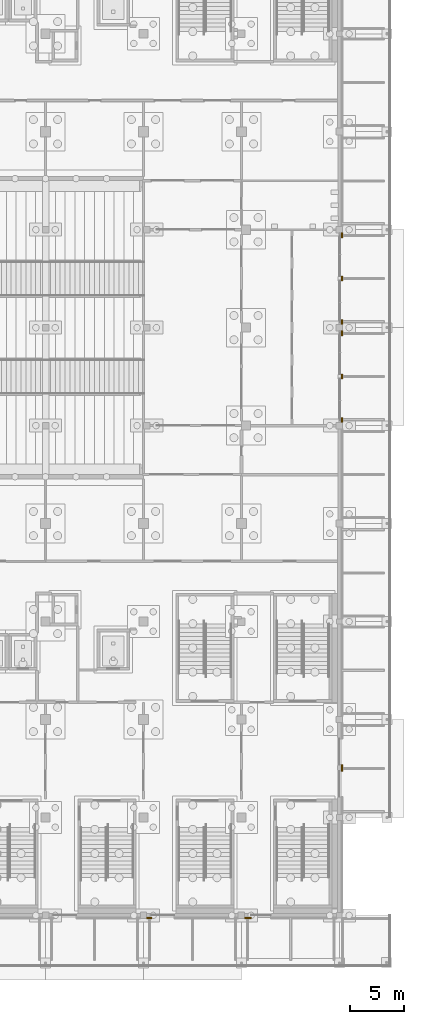
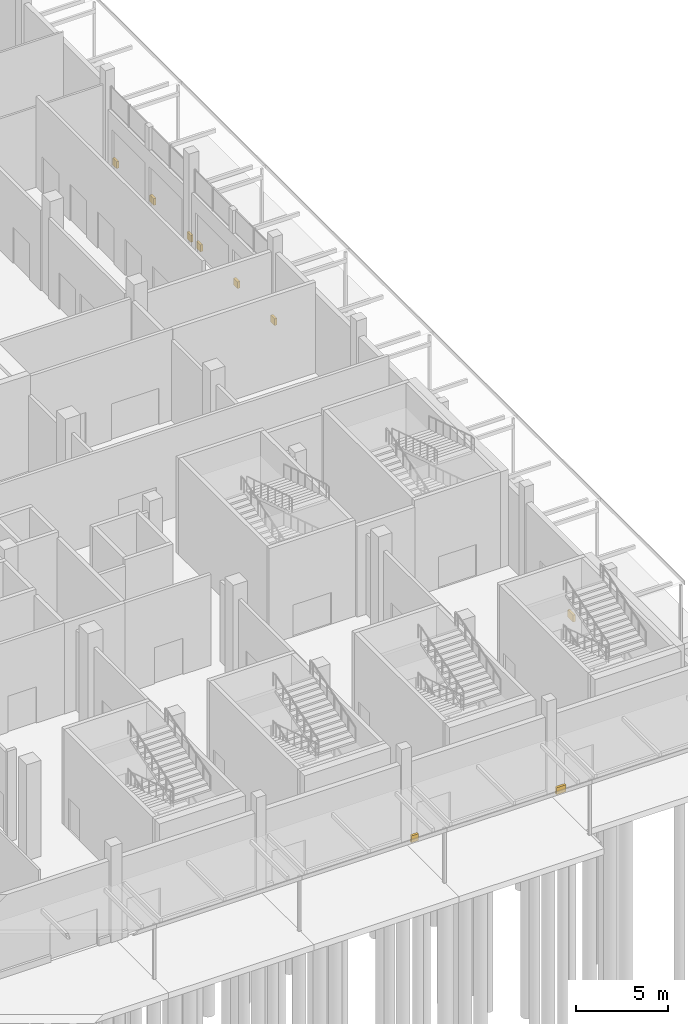
# One storey, part 126 of 129: 9 coverings.
"""IFC4 building model written with IfcOpenShell, lengths in metres."""

from ifc_helpers import new_model, si_unit, direction, frame, origin, origin_2d, place, context, subcontext, project, spatial, rectangle, extrude, material, layer, layer_set, type_object, element, save


model = new_model("IFC4")

# Units and contexts
model_context = context("Model", 3, precision=1e-05, world=origin(), true_north=direction((0.0, 1.0)))
body_context = subcontext(model_context, "Body", "Model", "MODEL_VIEW")
ifc_project = project(units=[si_unit("LENGTHUNIT", "METRE"), si_unit("AREAUNIT", "SQUARE_METRE"), si_unit("VOLUMEUNIT", "CUBIC_METRE"), si_unit("PLANEANGLEUNIT", "RADIAN"), si_unit("MASSUNIT", "GRAM", prefix="KILO")], contexts=[model_context])

# Site, building, storey
site_placement = place(None, origin())
site = spatial("IfcSite", under=ifc_project, at=site_placement, CompositionType="ELEMENT")
building_placement = place(site_placement, origin())
building = spatial("IfcBuilding", under=site, at=building_placement, Name="Shirokan Park Arena", CompositionType="ELEMENT")
storey_placement = place(building_placement, origin())
storey = spatial("IfcBuildingStorey", under=building, at=storey_placement, Name="L00", CompositionType="ELEMENT", Elevation=0.0)

# Coverings
ifc_material = material(Name="Natural stone", Category="masonry")
ifc_layer = layer(ifc_material, 0.14990234375)
ifc_layer_set = layer_set([ifc_layer], Name="Natural stone 150 mm")
covering_type = type_object("IfcCoveringType", Name="Stone plinth 150x450", PredefinedType="CLADDING", material=ifc_layer_set)
covering_1_placement = place(storey_placement, frame((145.824951171875, 13.699951171875, 0.0), z_axis=(0.0, 0.0, 1.0), x_axis=(0.0, 1.0, 0.0)))
element("IfcCovering", 1, at=covering_1_placement, inside=storey, type_object=covering_type, Name="Stone plinth east bay 2", PredefinedType="CLADDING", context=body_context, shape_type="SweptSolid", body=[
    extrude(rectangle(XDim=0.60009765625, YDim=0.14990234375, at=origin_2d()), origin(), (0.0, 0.0, 1.0), 0.449951171875),
])
covering_2_placement = place(storey_placement, frame((145.824951171875, 46.017578125, 0.0), z_axis=(0.0, 0.0, 1.0), x_axis=(0.0, 1.0, 0.0)))
element("IfcCovering", 2, at=covering_2_placement, inside=storey, type_object=covering_type, Name="Stone plinth east bay 6", PredefinedType="CLADDING", context=body_context, shape_type="SweptSolid", body=[
    extrude(rectangle(XDim=0.43505859375, YDim=0.14990234375, at=origin_2d()), origin(), (0.0, 0.0, 1.0), 0.449951171875),
])
covering_3_placement = place(storey_placement, frame((145.824951171875, 50.050048828125, 0.0), z_axis=(0.0, 0.0, 1.0), x_axis=(0.0, 1.0, 0.0)))
element("IfcCovering", 3, at=covering_3_placement, inside=storey, type_object=covering_type, Name="Stone plinth east bay 6", PredefinedType="CLADDING", context=body_context, shape_type="SweptSolid", body=[
    extrude(rectangle(XDim=0.429931640625, YDim=0.14990234375, at=origin_2d()), origin(), (0.0, 0.0, 1.0), 0.449951171875),
])
for number, where, z_axis, x_axis, name in (
    (4, (145.824951171875, 54.08251953125, 0.0), (0.0, 0.0, 1.0), (0.0, 1.0, 0.0), "Stone plinth east bay 6"),
    (5, (145.824951171875, 55.117431640625, 0.0), (0.0, 0.0, 1.0), (0.0, 1.0, 0.0), "Stone plinth east bay 7"),
):
    element("IfcCovering", number, at=place(storey_placement, frame(where, z_axis=z_axis, x_axis=x_axis)), inside=storey, type_object=covering_type, Name=name, PredefinedType="CLADDING", context=body_context, shape_type="SweptSolid", body=[
        extrude(rectangle(XDim=0.43505859375, YDim=0.14990234375, at=origin_2d()), origin(), (0.0, 0.0, 1.0), 0.449951171875),
    ])
covering_4_placement = place(storey_placement, frame((145.824951171875, 59.14990234375, 0.0), z_axis=(0.0, 0.0, 1.0), x_axis=(0.0, 1.0, 0.0)))
element("IfcCovering", 6, at=covering_4_placement, inside=storey, type_object=covering_type, Name="Stone plinth east bay 7", PredefinedType="CLADDING", context=body_context, shape_type="SweptSolid", body=[
    extrude(rectangle(XDim=0.429931640625, YDim=0.14990234375, at=origin_2d()), origin(), (0.0, 0.0, 1.0), 0.449951171875),
])
covering_5_placement = place(storey_placement, frame((145.824951171875, 63.1826171875, 0.0), z_axis=(0.0, 0.0, 1.0), x_axis=(0.0, 1.0, 0.0)))
element("IfcCovering", 7, at=covering_5_placement, inside=storey, type_object=covering_type, Name="Stone plinth east bay 7", PredefinedType="CLADDING", context=body_context, shape_type="SweptSolid", body=[
    extrude(rectangle(XDim=0.43505859375, YDim=0.14990234375, at=origin_2d()), origin(), (0.0, 0.0, 1.0), 0.449951171875),
])
covering_6_placement = place(storey_placement, frame((127.925048828125, -0.22509765625, 0.0), z_axis=(0.0, 0.0, 1.0), x_axis=(1.0, 0.0, 0.0)))
element("IfcCovering", 8, at=covering_6_placement, inside=storey, type_object=covering_type, Name="Stone plinth south bay 15", PredefinedType="CLADDING", context=body_context, shape_type="SweptSolid", body=[
    extrude(rectangle(XDim=0.449951171875, YDim=0.14990234375, at=origin_2d()), origin(), (0.0, 0.0, 1.0), 0.449951171875),
])
covering_7_placement = place(storey_placement, frame((137.10009765625, -0.22509765625, 0.0), z_axis=(0.0, 0.0, 1.0), x_axis=(1.0, 0.0, 0.0)))
element("IfcCovering", 9, at=covering_7_placement, inside=storey, type_object=covering_type, Name="Stone plinth south bay 16", PredefinedType="CLADDING", context=body_context, shape_type="SweptSolid", body=[
    extrude(rectangle(XDim=0.60009765625, YDim=0.14990234375, at=origin_2d()), origin(), (0.0, 0.0, 1.0), 0.449951171875),
])

save(model, "model.ifc")
